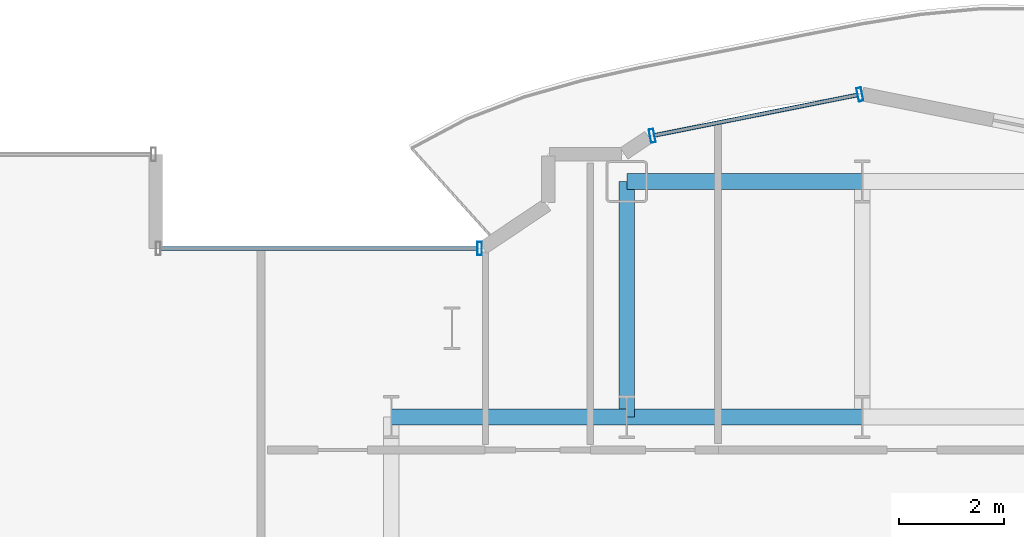
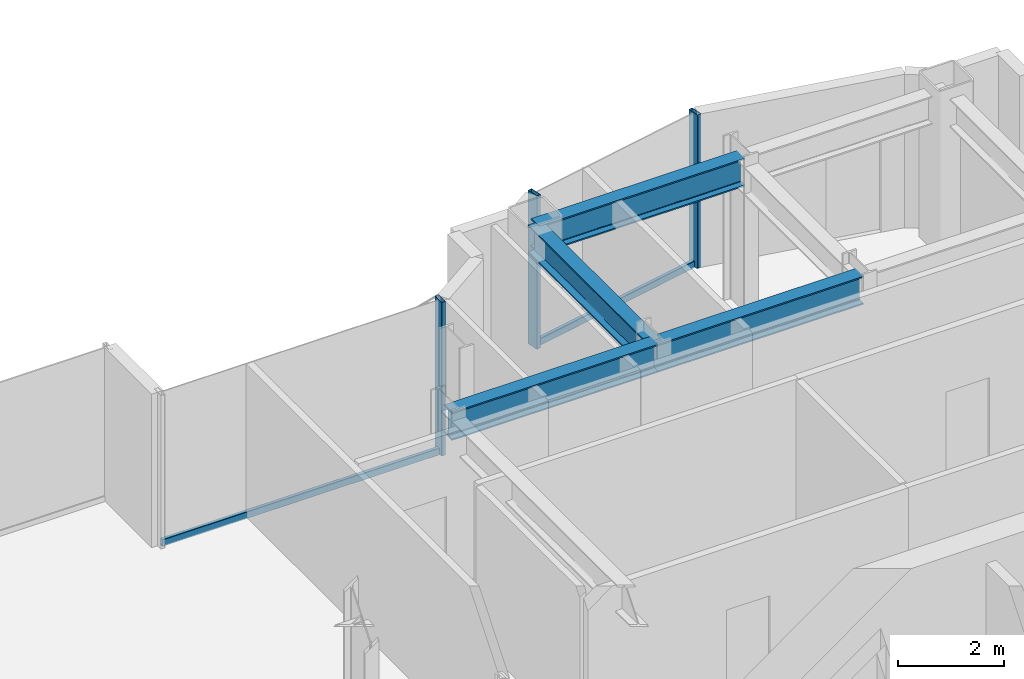
# One storey, part 14 of 27: 5 members, 4 beams, 2 elements without a shape of their own.
"""IFC4 building model written with IfcOpenShell, lengths in metres."""

from ifc_helpers import new_model, si_unit, direction, frame, origin, origin_2d, place, context, subcontext, project, spatial, hollow_rectangle, i_section, extrude, source, transform, mapped, material, layer, layer_set, material_profile, profile_set, type_object, element, aggregate, save


model = new_model("IFC4")

# Units and contexts
model_context = context("Model", 3, precision=1e-05, world=origin(), true_north=direction((0.0, 1.0)))
body_context = subcontext(model_context, "Body", "Model", "MODEL_VIEW")
ifc_project = project(units=[si_unit("LENGTHUNIT", "METRE"), si_unit("AREAUNIT", "SQUARE_METRE"), si_unit("VOLUMEUNIT", "CUBIC_METRE"), si_unit("PLANEANGLEUNIT", "RADIAN"), si_unit("MASSUNIT", "GRAM", prefix="KILO")], contexts=[model_context])

# Site, building, storey
site_placement = place(None, origin())
site = spatial("IfcSite", under=ifc_project, at=site_placement, CompositionType="ELEMENT")
building_placement = place(site_placement, origin())
building = spatial("IfcBuilding", under=site, at=building_placement, Name="Nefas-Gora Pilgrimage Tower", CompositionType="ELEMENT")
storey_placement = place(building_placement, frame((0.0, 0.0, 148.800048828125)))
storey = spatial("IfcBuildingStorey", under=building, at=storey_placement, Name="L36", CompositionType="ELEMENT", Elevation=148.800048828125)

# Beams
ifc_material_1 = material(Name="Steel S355", Category="steel")
ifc_material_profile_1 = material_profile(ifc_material_1, i_section(OverallWidth=0.300048828125, OverallDepth=0.64990234375, WebThickness=0.01611328125, FlangeThickness=0.031005859375, FilletRadius=0.027099609375, at=origin_2d()), Name="HEB 650")
ifc_profile_set_1 = profile_set([ifc_material_profile_1], Name="Steel S355")
beam_type = type_object("IfcBeamType", Name="BM-GIR-HEB650", PredefinedType="BEAM", material=ifc_profile_set_1)
shared_shape_1 = source(origin(), body_context, "Body", "SweptSolid", [
    extrude(i_section(OverallWidth=0.300048828125, OverallDepth=0.64990234375, WebThickness=0.01611328125, FlangeThickness=0.031005859375, FilletRadius=0.027099609375, at=origin_2d()), origin(), (0.0, 0.0, 1.0), 4.5),
])
for number, where, z_axis, x_axis, name in (
    (1, (-11.25, 18.0, 3.224853515625), (1.0, 0.0, 0.0), (0.0, 1.0, 0.0), "L36 G-03 beam"),
    (2, (-6.75, 18.0, 3.224853515625), (0.0, 1.0, 0.0), (-1.0, 0.0, 0.0), "L36 G-03 beam"),
    (3, (-6.75, 18.0, 3.224853515625), (1.0, 0.0, 0.0), (0.0, 1.0, 0.0), "L36 G-03 beam"),
    (4, (-6.75, 22.5, 3.224853515625), (1.0, 0.0, 0.0), (0.0, 1.0, 0.0), "L36 G-03 beam"),
):
    element("IfcBeam", number, at=place(storey_placement, frame(where, z_axis=z_axis, x_axis=x_axis)), inside=storey, type_object=beam_type, Name=name, PredefinedType="BEAM", context=body_context, shape_type="MappedRepresentation", body=[
        mapped(shared_shape_1, transform((0.0, 0.0, 0.0), x_axis=(1.0, 0.0, 0.0), y_axis=(0.0, 1.0, 0.0), z_axis=(0.0, 0.0, 1.0), scale=1.0)),
    ])

# Curtain wall, members
ifc_material_2 = material(Name="Dark ceramic-fritted solar-control aluminium-glass curtain wall", Category="aluminium")
ifc_layer = layer(ifc_material_2, 0.219970703125)
ifc_layer_set = layer_set([ifc_layer], Name="Dark ceramic-fritted solar-control aluminium-glass curtain wall")
curtain_wall_type = type_object("IfcCurtainWallType", Name="CW-SYS-5", PredefinedType="NOTDEFINED", material=ifc_layer_set)
curtain_wall_1_placement = place(storey_placement, origin())
curtain_wall_1 = element("IfcCurtainWall", 5, at=curtain_wall_1_placement, inside=storey, type_object=curtain_wall_type, Name="L36 Unitised Curtain Wall CW5", PredefinedType="NOTDEFINED")
ifc_material_3 = material(Name="Anodised architectural aluminium", Category="aluminium")
ifc_material_profile_2 = material_profile(ifc_material_3, hollow_rectangle(XDim=0.090087890625, YDim=0.260009765625, WallThickness=0.006103515625, InnerFilletRadius=0.006103515625, OuterFilletRadius=0.011962890625, at=origin_2d()), Name="ALU MULLION 90x260")
ifc_profile_set_2 = profile_set([ifc_material_profile_2], Name="Anodised architectural aluminium")
member_type_1 = type_object("IfcMemberType", Name="CWM-MUL-5", PredefinedType="MULLION", material=ifc_profile_set_2)
shared_shape_2 = source(origin(), body_context, "Body", "SweptSolid", [
    extrude(hollow_rectangle(XDim=0.090087890625, YDim=0.260009765625, WallThickness=0.006103515625, InnerFilletRadius=0.006103515625, OuterFilletRadius=0.011962890625, at=origin_2d()), origin(), (0.0, 0.0, 1.0), 3.550048828125),
])
member_1_placement = place(storey_placement, frame((-2.294189453125, 24.16357421875, 0.0), z_axis=(0.0, 0.0, 1.0), x_axis=(-0.980782896852, -0.195102304554, 0.0)))
member_1 = element("IfcMember", 6, at=member_1_placement, type_object=member_type_1, Name="CW5 Mullion 1", PredefinedType="MULLION", context=body_context, shape_type="MappedRepresentation", body=[
    mapped(shared_shape_2, transform((0.0, 0.0, 0.0), x_axis=(1.0, 0.0, 0.0), y_axis=(0.0, 1.0, 0.0), z_axis=(0.0, 0.0, 1.0), scale=1.0)),
])
member_2_placement = place(storey_placement, frame((-6.26318359375, 23.3740234375, 0.0), z_axis=(0.0, 0.0, 1.0), x_axis=(-0.980782896852, -0.195102304554, 0.0)))
member_2 = element("IfcMember", 7, at=member_2_placement, type_object=member_type_1, Name="CW5 Mullion 2", PredefinedType="MULLION", context=body_context, shape_type="MappedRepresentation", body=[
    mapped(shared_shape_2, transform((0.0, 0.0, 0.0), x_axis=(1.0, 0.0, 0.0), y_axis=(0.0, 1.0, 0.0), z_axis=(0.0, 0.0, 1.0), scale=1.0)),
])

curtain_wall_2_placement = place(storey_placement, origin())
curtain_wall_2 = element("IfcCurtainWall", 8, at=curtain_wall_2_placement, inside=storey, type_object=curtain_wall_type, Name="L36 Unitised Curtain Wall CW5", PredefinedType="NOTDEFINED")
member_3_placement = place(storey_placement, frame((-9.56298828125, 21.219970703125, 0.0), z_axis=(0.0, 0.0, 1.0), x_axis=(-1.0, 0.0, 0.0)))
member_3 = element("IfcMember", 9, at=member_3_placement, type_object=member_type_1, Name="CW5 Mullion 1", PredefinedType="MULLION", context=body_context, shape_type="MappedRepresentation", body=[
    mapped(shared_shape_2, transform((0.0, 0.0, 0.0), x_axis=(1.0, 0.0, 0.0), y_axis=(0.0, 1.0, 0.0), z_axis=(0.0, 0.0, 1.0), scale=1.0)),
])
ifc_material_profile_3 = material_profile(ifc_material_3, hollow_rectangle(XDim=0.080078125, YDim=0.159912109375, WallThickness=0.00439453125, InnerFilletRadius=0.00439453125, OuterFilletRadius=0.009033203125, at=origin_2d()), Name="ALU TRANSOM 80x160")
ifc_profile_set_3 = profile_set([ifc_material_profile_3], Name="Anodised architectural aluminium")
member_type_2 = type_object("IfcMemberType", Name="CWM-TRN-5", PredefinedType="USERDEFINED", material=ifc_profile_set_3)
shared_shape_3 = source(origin(), body_context, "Body", "SweptSolid", [
    extrude(hollow_rectangle(XDim=0.080078125, YDim=0.159912109375, WallThickness=0.00439453125, InnerFilletRadius=0.00439453125, OuterFilletRadius=0.009033203125, at=origin_2d()), origin(), (0.0, 0.0, 1.0), 6.052001953125),
])
member_4_placement = place(storey_placement, frame((-9.60791015625, 21.219970703125, 0.050048828125), z_axis=(-1.0, 0.0, 0.0), x_axis=(0.0, -1.0, 0.0)))
member_4 = element("IfcMember", 10, at=member_4_placement, type_object=member_type_2, Name="CW5 Spandrel Transom", ObjectType="TRANSOM", PredefinedType="USERDEFINED", context=body_context, shape_type="MappedRepresentation", body=[
    mapped(shared_shape_3, transform((0.0, 0.0, 0.0), x_axis=(1.0, 0.0, 0.0), y_axis=(0.0, 1.0, 0.0), z_axis=(0.0, 0.0, 1.0), scale=1.0)),
])
aggregate(curtain_wall_2, [member_3, member_4])

# Member
shared_shape_4 = source(origin(), body_context, "Body", "SweptSolid", [
    extrude(hollow_rectangle(XDim=0.080078125, YDim=0.159912109375, WallThickness=0.00439453125, InnerFilletRadius=0.00439453125, OuterFilletRadius=0.009033203125, at=origin_2d()), origin(), (0.0, 0.0, 1.0), 3.95654296875),
])
member_5_placement = place(storey_placement, frame((-2.33837890625, 24.15478515625, 0.050048828125), z_axis=(-0.980781880918, -0.195107411605, 0.0), x_axis=(0.195107411605, -0.980781880918, 0.0)))
member_5 = element("IfcMember", 11, at=member_5_placement, type_object=member_type_2, Name="CW5 Spandrel Transom", ObjectType="TRANSOM", PredefinedType="USERDEFINED", context=body_context, shape_type="MappedRepresentation", body=[
    mapped(shared_shape_4, transform((0.0, 0.0, 0.0), x_axis=(1.0, 0.0, 0.0), y_axis=(0.0, 1.0, 0.0), z_axis=(0.0, 0.0, 1.0), scale=1.0)),
])

aggregate(curtain_wall_1, [member_1, member_2, member_5])

save(model, "model.ifc")
